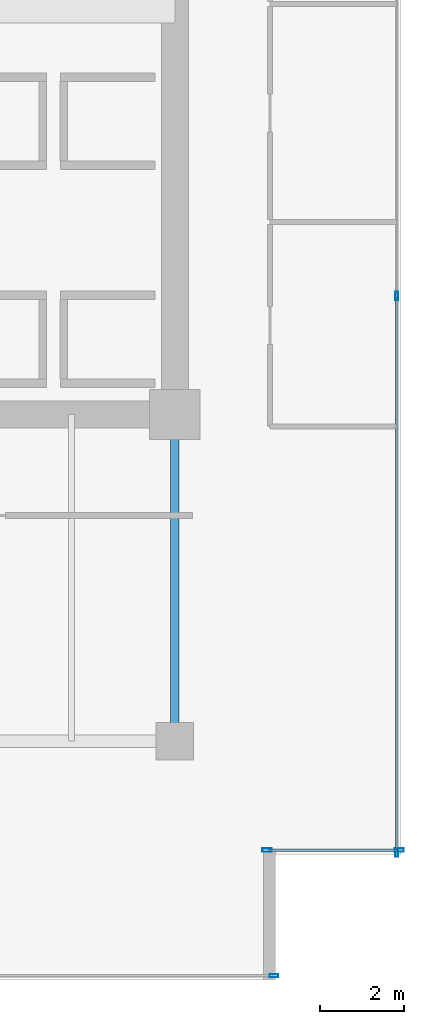
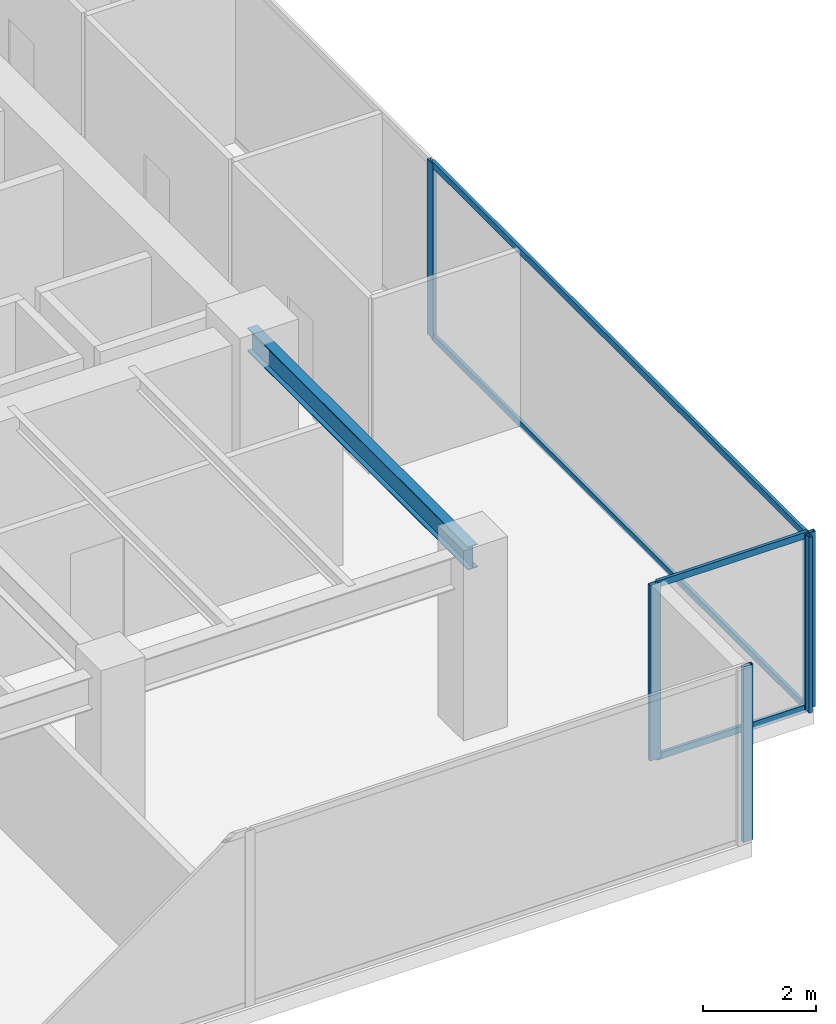
# One storey, part 21 of 30: 9 members, 1 beam, 3 elements without a shape of their own.
"""IFC4 building model written with IfcOpenShell, lengths in metres."""

from ifc_helpers import new_model, si_unit, direction, frame, origin, origin_2d, place, context, subcontext, project, spatial, hollow_rectangle, i_section, extrude, source, transform, mapped, material, layer, layer_set, material_profile, profile_set, type_object, type_shapes, element, aggregate, save


model = new_model("IFC4")

# Units and contexts
model_context = context("Model", 3, precision=1e-05, world=origin(), true_north=direction((0.0, 1.0)))
body_context = subcontext(model_context, "Body", "Model", "MODEL_VIEW")
ifc_project = project(units=[si_unit("LENGTHUNIT", "METRE"), si_unit("AREAUNIT", "SQUARE_METRE"), si_unit("VOLUMEUNIT", "CUBIC_METRE"), si_unit("PLANEANGLEUNIT", "RADIAN"), si_unit("MASSUNIT", "GRAM", prefix="KILO")], contexts=[model_context])

# Site, building, storey
site_placement = place(None, origin())
site = spatial("IfcSite", under=ifc_project, at=site_placement, CompositionType="ELEMENT")
building_placement = place(site_placement, origin())
building = spatial("IfcBuilding", under=site, at=building_placement, Name="Haelvirn Gate Laboratories", CompositionType="ELEMENT")
storey_placement = place(building_placement, frame((0.0, 0.0, 105.10009765625)))
storey = spatial("IfcBuildingStorey", under=building, at=storey_placement, Name="L25", CompositionType="ELEMENT", Elevation=105.10009765625)

# Beam
ifc_material_1 = material(Name="Steel SM355", Category="steel")
ifc_material_profile_1 = material_profile(ifc_material_1, i_section(OverallWidth=0.199951171875, OverallDepth=0.5, WebThickness=0.010009765625, FlangeThickness=0.01611328125, at=origin_2d()), Name="H-500x200x10x16")
ifc_profile_set_1 = profile_set([ifc_material_profile_1], Name="Steel SM355")
beam_type = type_object("IfcBeamType", Name="BM-SP-500", PredefinedType="SPANDREL", material=ifc_profile_set_1)
shared_shape_1 = source(origin(), body_context, "Body", "SweptSolid", [
    extrude(i_section(OverallWidth=0.199951171875, OverallDepth=0.5, WebThickness=0.010009765625, FlangeThickness=0.01611328125, at=origin_2d()), origin(), (0.0, 0.0, 1.0), 7.800048828125),
])
type_shapes(beam_type, [shared_shape_1])
beam_placement = place(storey_placement, frame((67.39990234375, 7.0, 3.539794921875), z_axis=(0.0, 1.0, 0.0), x_axis=(-1.0, 0.0, 0.0)))
element("IfcBeam", 1, at=beam_placement, inside=storey, type_object=beam_type, Name="L25 Perimeter Spandrel X67.4 (7.0-14.8)", PredefinedType="SPANDREL", context=body_context, shape_type="MappedRepresentation", body=[
    mapped(shared_shape_1, transform((0.0, 0.0, 0.0), scale=1.0)),
])

# Curtain wall, members
ifc_material_2 = material(Name="Anodised bronze unitised aluminium & triple low-E glass", Category="aluminium")
ifc_layer_1 = layer(ifc_material_2, 0.181884765625, Name="CW-SYS-5")
ifc_layer_set_1 = layer_set([ifc_layer_1], Name="Anodised bronze unitised aluminium & triple low-E glass")
curtain_wall_type_1 = type_object("IfcCurtainWallType", Name="CW-SYS-5", PredefinedType="NOTDEFINED", material=ifc_layer_set_1)
curtain_wall_1_placement = place(storey_placement, origin())
curtain_wall_1 = element("IfcCurtainWall", 2, at=curtain_wall_1_placement, inside=storey, type_object=curtain_wall_type_1, Name="L25 Unitised Curtain Wall CW-L25-P0-E06-1", PredefinedType="NOTDEFINED")
ifc_material_3 = material(Name="Extruded aluminium 6063-T6 (anodised bronze)", Category="aluminium")
ifc_material_profile_2 = material_profile(ifc_material_3, hollow_rectangle(XDim=0.06494140625, YDim=0.139892578125, WallThickness=0.00390625, at=origin_2d()), Name="CWT-140x65x4")
ifc_profile_set_2 = profile_set([ifc_material_profile_2], Name="Extruded aluminium 6063-T6 (anodised bronze)")
member_type_1 = type_object("IfcMemberType", Name="CWT-T140", PredefinedType="USERDEFINED", material=ifc_profile_set_2)
shared_shape_2 = source(origin(), body_context, "Body", "SweptSolid", [
    extrude(hollow_rectangle(XDim=0.06494140625, YDim=0.139892578125, WallThickness=0.00390625, at=origin_2d()), origin(), (0.0, 0.0, 1.0), 3.080078125),
])
member_1_placement = place(storey_placement, frame((69.639892578125, 4.39990234375, 0.032470703125), z_axis=(1.0, 0.0, 0.0), x_axis=(0.0, 1.0, 0.0)))
member_1 = element("IfcMember", 3, at=member_1_placement, type_object=member_type_1, Name="CW5 transom 1.1", ObjectType="TRANSOM", PredefinedType="USERDEFINED", context=body_context, shape_type="MappedRepresentation", body=[
    mapped(shared_shape_2, transform((0.0, 0.0, 0.0), scale=1.0)),
])
member_2_placement = place(storey_placement, frame((69.639892578125, 4.39990234375, 3.75732421875), z_axis=(1.0, 0.0, 0.0), x_axis=(0.0, 1.0, 0.0)))
member_2 = element("IfcMember", 4, at=member_2_placement, type_object=member_type_1, Name="CW5 transom 1.2", ObjectType="TRANSOM", PredefinedType="USERDEFINED", context=body_context, shape_type="MappedRepresentation", body=[
    mapped(shared_shape_2, transform((0.0, 0.0, 0.0), scale=1.0)),
])

ifc_layer_2 = layer(ifc_material_2, 0.179931640625, Name="CW-SYS-3")
ifc_layer_set_2 = layer_set([ifc_layer_2], Name="Anodised bronze unitised aluminium & triple low-E glass")
curtain_wall_type_2 = type_object("IfcCurtainWallType", Name="CW-SYS-3", PredefinedType="NOTDEFINED", material=ifc_layer_set_2)
curtain_wall_2_placement = place(storey_placement, origin())
curtain_wall_2 = element("IfcCurtainWall", 5, at=curtain_wall_2_placement, inside=storey, type_object=curtain_wall_type_2, Name="L25 Unitised Curtain Wall CW-L25-P0-E07", PredefinedType="NOTDEFINED")
shared_shape_3 = source(origin(), body_context, "Body", "SweptSolid", [
    extrude(hollow_rectangle(XDim=0.06494140625, YDim=0.139892578125, WallThickness=0.00390625, at=origin_2d()), origin(), (0.0, 0.0, 1.0), 13.220947265625),
])
type_shapes(member_type_1, [shared_shape_2, shared_shape_3])
member_3_placement = place(storey_placement, frame((72.699951171875, 4.375, 0.032470703125), z_axis=(0.0, 1.0, 0.0), x_axis=(-1.0, 0.0, 0.0)))
member_3 = element("IfcMember", 6, at=member_3_placement, type_object=member_type_1, Name="CW3 transom 1.1", ObjectType="TRANSOM", PredefinedType="USERDEFINED", context=body_context, shape_type="MappedRepresentation", body=[
    mapped(shared_shape_3, transform((0.0, 0.0, 0.0), scale=1.0)),
])
member_4_placement = place(storey_placement, frame((72.699951171875, 4.375, 3.75732421875), z_axis=(0.0, 1.0, 0.0), x_axis=(-1.0, 0.0, 0.0)))
member_4 = element("IfcMember", 7, at=member_4_placement, type_object=member_type_1, Name="CW3 transom 1.2", ObjectType="TRANSOM", PredefinedType="USERDEFINED", context=body_context, shape_type="MappedRepresentation", body=[
    mapped(shared_shape_3, transform((0.0, 0.0, 0.0), scale=1.0)),
])

# Curtain wall, member
curtain_wall_3_placement = place(storey_placement, origin())
curtain_wall_3 = element("IfcCurtainWall", 8, at=curtain_wall_3_placement, inside=storey, type_object=curtain_wall_type_2, Name="L25 Unitised Curtain Wall CW-L25-P0-E04-1", PredefinedType="NOTDEFINED")
ifc_material_profile_3 = material_profile(ifc_material_3, hollow_rectangle(XDim=0.074951171875, YDim=0.199951171875, WallThickness=0.0048828125, at=origin_2d()), Name="CWM-200x75x5")
ifc_profile_set_3 = profile_set([ifc_material_profile_3], Name="Extruded aluminium 6063-T6 (anodised bronze)")
member_type_2 = type_object("IfcMemberType", Name="CWM-T200", PredefinedType="MULLION", material=ifc_profile_set_3)
shared_shape_4 = source(origin(), body_context, "Body", "SweptSolid", [
    extrude(hollow_rectangle(XDim=0.074951171875, YDim=0.199951171875, WallThickness=0.0048828125, at=origin_2d()), origin(), (0.0, 0.0, 1.0), 3.789794921875),
])
type_shapes(member_type_2, [shared_shape_4])
member_5_placement = place(storey_placement, frame((69.762451171875, 1.39990234375, 0.0), z_axis=(0.0, 0.0, 1.0), x_axis=(0.0, 1.0, 0.0)))
member_5 = element("IfcMember", 9, at=member_5_placement, type_object=member_type_2, Name="CW3 mullion 3", PredefinedType="MULLION", context=body_context, shape_type="MappedRepresentation", body=[
    mapped(shared_shape_4, transform((0.0, 0.0, 0.0), scale=1.0)),
])
aggregate(curtain_wall_3, [member_5])

# Member
member_6_placement = place(storey_placement, frame((72.699951171875, 4.33740234375, 0.0), z_axis=(0.0, 0.0, 1.0), x_axis=(-1.0, 0.0, 0.0)))
member_6 = element("IfcMember", 10, at=member_6_placement, type_object=member_type_2, Name="CW3 mullion 1", PredefinedType="MULLION", context=body_context, shape_type="MappedRepresentation", body=[
    mapped(shared_shape_4, transform((0.0, 0.0, 0.0), scale=1.0)),
])

member_7_placement = place(storey_placement, frame((72.699951171875, 17.63330078125, 0.0), z_axis=(0.0, 0.0, 1.0), x_axis=(-1.0, 0.0, 0.0)))
member_7 = element("IfcMember", 11, at=member_7_placement, type_object=member_type_2, Name="CW3 mullion 2", PredefinedType="MULLION", context=body_context, shape_type="MappedRepresentation", body=[
    mapped(shared_shape_4, transform((0.0, 0.0, 0.0), scale=1.0)),
])

aggregate(curtain_wall_2, [member_6, member_7, member_3, member_4])

ifc_material_profile_4 = material_profile(ifc_material_3, hollow_rectangle(XDim=0.080078125, YDim=0.219970703125, WallThickness=0.006103515625, at=origin_2d()), Name="CWM-220x80x6")
ifc_profile_set_4 = profile_set([ifc_material_profile_4], Name="Extruded aluminium 6063-T6 (anodised bronze)")
member_type_3 = type_object("IfcMemberType", Name="CWM-T220", PredefinedType="MULLION", material=ifc_profile_set_4)
shared_shape_5 = source(origin(), body_context, "Body", "SweptSolid", [
    extrude(hollow_rectangle(XDim=0.080078125, YDim=0.219970703125, WallThickness=0.006103515625, at=origin_2d()), origin(), (0.0, 0.0, 1.0), 3.789794921875),
])
type_shapes(member_type_3, [shared_shape_5])
member_8_placement = place(storey_placement, frame((69.60009765625, 4.39990234375, 0.0), z_axis=(0.0, 0.0, 1.0), x_axis=(0.0, 1.0, 0.0)))
member_8 = element("IfcMember", 12, at=member_8_placement, type_object=member_type_3, Name="CW5 mullion 1", PredefinedType="MULLION", context=body_context, shape_type="MappedRepresentation", body=[
    mapped(shared_shape_5, transform((0.0, 0.0, 0.0), scale=1.0)),
])

member_9_placement = place(storey_placement, frame((72.760009765625, 4.39990234375, 0.0), z_axis=(0.0, 0.0, 1.0), x_axis=(0.0, 1.0, 0.0)))
member_9 = element("IfcMember", 13, at=member_9_placement, type_object=member_type_3, Name="CW5 mullion 2", PredefinedType="MULLION", context=body_context, shape_type="MappedRepresentation", body=[
    mapped(shared_shape_5, transform((0.0, 0.0, 0.0), scale=1.0)),
])

aggregate(curtain_wall_1, [member_8, member_9, member_1, member_2])

save(model, "model.ifc")
